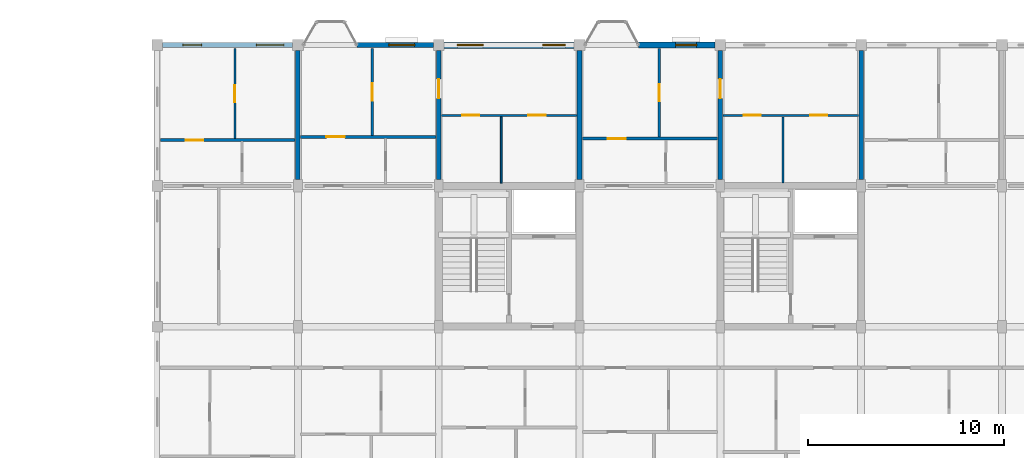
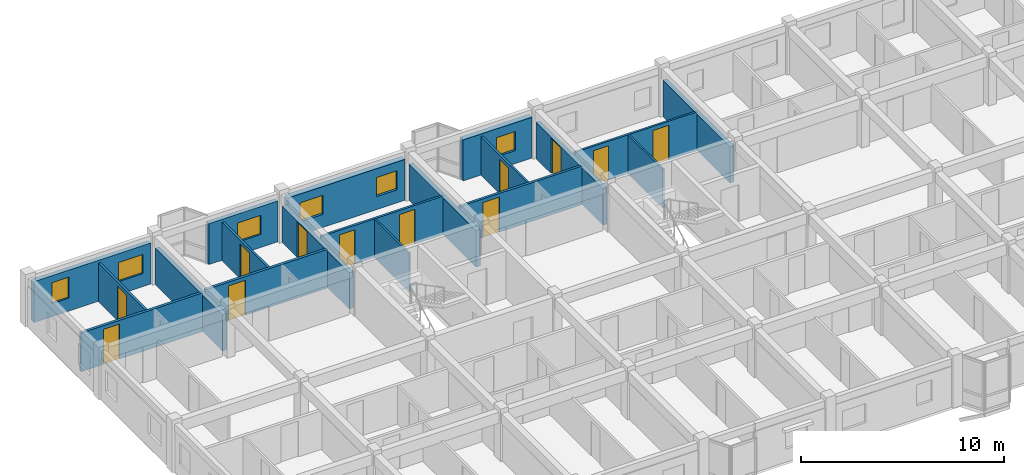
# One storey, part 69 of 77: 19 walls, 12 doors, 6 windows, 18 openings.
"""IFC4 building model written with IfcOpenShell, lengths in metres."""

from ifc_helpers import new_model, si_unit, direction, frame, frame_2d, origin, place, context, subcontext, project, spatial, rectangle, extrude, material, layer, layer_set, type_object, element, fill, save


model = new_model("IFC4")

# Units and contexts
model_context = context("Model", 3, precision=1e-05, world=origin(), true_north=direction((0.0, 1.0)))
body_context = subcontext(model_context, "Body", "Model", "MODEL_VIEW")
ifc_project = project(units=[si_unit("LENGTHUNIT", "METRE"), si_unit("AREAUNIT", "SQUARE_METRE"), si_unit("VOLUMEUNIT", "CUBIC_METRE"), si_unit("PLANEANGLEUNIT", "RADIAN"), si_unit("MASSUNIT", "GRAM", prefix="KILO"), si_unit("THERMODYNAMICTEMPERATUREUNIT", "KELVIN"), si_unit("POWERUNIT", "WATT")], contexts=[model_context])

# Site, building, storey
site_placement = place(None, origin())
site = spatial("IfcSite", under=ifc_project, at=site_placement, CompositionType="ELEMENT")
building_placement = place(site_placement, origin())
building = spatial("IfcBuilding", under=site, at=building_placement, Name="Tavuni Mirador Residences", CompositionType="ELEMENT")
storey_placement = place(building_placement, frame((0.0, 0.0, 17.10009765625)))
storey = spatial("IfcBuildingStorey", under=building, at=storey_placement, Name="L05", CompositionType="ELEMENT", Elevation=17.10009765625)

# Wall, openings, windows
ifc_material_1 = material(Name="Precast concrete C40/50", Category="concrete")
ifc_layer_1 = layer(ifc_material_1, 0.330078125, Name="Precast concrete C40/50", Category="concrete")
ifc_layer_set_1 = layer_set([ifc_layer_1], Name="Precast concrete C40/50")
wall_type_1 = type_object("IfcWallType", Name="WT-EXT-COR330", PredefinedType="SOLIDWALL", material=ifc_layer_set_1)
wall_1_placement = place(storey_placement, frame((32.125, 172.800048828125, 0.0), z_axis=(0.0, 0.0, 1.0), x_axis=(-1.0, 0.0, 0.0)))
wall_1 = element("IfcWall", 1, at=wall_1_placement, inside=storey, type_object=wall_type_1, Name="EW-BLK-C-L05-N02", PredefinedType="SOLIDWALL", context=body_context, shape_type="SweptSolid", body=[
    extrude(rectangle(XDim=6.64990234375, YDim=0.330078125, at=frame_2d((3.324951171875, 0.0))), origin(), (0.0, 0.0, 1.0), 2.454833984375),
])
opening_1_placement = place(wall_1_placement, frame((0.449951171875, 0.0, 0.780029296875)))
opening_1 = element("IfcOpeningElement", 2, at=opening_1_placement, cuts=wall_1, Name="Opening WN-05", PredefinedType="OPENING", context=body_context, shape_type="SweptSolid", body=[
    extrude(rectangle(XDim=1.159912109375, YDim=1.14990234375, at=frame_2d((0.580078125, 0.574951171875))), frame((0.0, 0.175048828125, 0.0), z_axis=(0.0, -1.0, 0.0), x_axis=(1.0, 0.0, 0.0)), (0.0, 0.0, 1.0), 0.35009765625),
])
opening_2_placement = place(wall_1_placement, frame((4.64990234375, 0.0, 0.780029296875)))
opening_2 = element("IfcOpeningElement", 3, at=opening_2_placement, cuts=wall_1, Name="Opening WN-07", PredefinedType="OPENING", context=body_context, shape_type="SweptSolid", body=[
    extrude(rectangle(XDim=1.320068359375, YDim=1.14990234375, at=frame_2d((0.66015625, 0.574951171875))), frame((0.0, 0.175048828125, 0.0), z_axis=(0.0, -1.0, 0.0), x_axis=(1.0, 0.0, 0.0)), (0.0, 0.0, 1.0), 0.35009765625),
])
ifc_material_2 = material(Name="Laminated solar-control glass", Category="glass")
window_type_1 = type_object("IfcWindowType", Name="WNT-05", PartitioningType="SINGLE_PANEL", PredefinedType="WINDOW", material=ifc_material_2)
window_1_placement = place(opening_1_placement, origin())
window_1 = element("IfcWindow", 4, at=window_1_placement, inside=storey, type_object=window_type_1, Name="WIN-1079", OverallHeight=1.14990234375, OverallWidth=1.159912109375, PartitioningType="SINGLE_PANEL", PredefinedType="WINDOW", context=body_context, shape_type="SweptSolid", body=[
    extrude(rectangle(XDim=1.159912109375, YDim=1.14990234375, at=frame_2d((0.580078125, 0.574951171875))), frame((0.0, 0.030029296875, 0.0), z_axis=(0.0, -1.0, 0.0), x_axis=(1.0, 0.0, 0.0)), (0.0, 0.0, 1.0), 0.06005859375),
])
fill(opening_1, window_1)
window_type_2 = type_object("IfcWindowType", Name="WNT-07", PartitioningType="SINGLE_PANEL", PredefinedType="WINDOW", material=ifc_material_2)
window_2_placement = place(opening_2_placement, origin())
window_2 = element("IfcWindow", 5, at=window_2_placement, inside=storey, type_object=window_type_2, Name="WIN-1080", OverallHeight=1.14990234375, OverallWidth=1.320068359375, PartitioningType="SINGLE_PANEL", PredefinedType="WINDOW", context=body_context, shape_type="SweptSolid", body=[
    extrude(rectangle(XDim=1.320068359375, YDim=1.14990234375, at=frame_2d((0.66015625, 0.574951171875))), frame((0.0, 0.030029296875, 0.0), z_axis=(0.0, -1.0, 0.0), x_axis=(1.0, 0.0, 0.0)), (0.0, 0.0, 1.0), 0.06005859375),
])
fill(opening_2, window_2)

# Wall, opening, window
ifc_material_3 = material(Name="Sgraffito lime-rendered precast concrete C40/50", Category="concrete")
ifc_layer_2 = layer(ifc_material_3, 0.2451171875, Name="Sgraffito lime-rendered precast concrete C40/50", Category="concrete")
ifc_layer_set_2 = layer_set([ifc_layer_2], Name="Sgraffito lime-rendered precast concrete C40/50")
wall_type_2 = type_object("IfcWallType", Name="WT-EXT-PC245", PredefinedType="SOLIDWALL", material=ifc_layer_set_2)
wall_2_placement = place(storey_placement, frame((24.925048828125, 172.800048828125, 0.0), z_axis=(0.0, 0.0, 1.0), x_axis=(-1.0, 0.0, 0.0)))
wall_2 = element("IfcWall", 6, at=wall_2_placement, inside=storey, type_object=wall_type_2, Name="EW-BLK-C-L05-N01", PredefinedType="SOLIDWALL", context=body_context, shape_type="SweptSolid", body=[
    extrude(rectangle(XDim=3.905029296875, YDim=0.2451171875, at=frame_2d((1.95263671875, 0.0))), origin(), (0.0, 0.0, 1.0), 2.454833984375),
])
opening_3_placement = place(wall_2_placement, frame((0.95751953125, 0.0, 0.780029296875)))
opening_3 = element("IfcOpeningElement", 7, at=opening_3_placement, cuts=wall_2, Name="Opening WN-07", PredefinedType="OPENING", context=body_context, shape_type="SweptSolid", body=[
    extrude(rectangle(XDim=1.320068359375, YDim=1.14990234375, at=frame_2d((0.66015625, 0.574951171875))), frame((0.0, 0.132568359375, 0.0), z_axis=(0.0, -1.0, 0.0), x_axis=(1.0, 0.0, 0.0)), (0.0, 0.0, 1.0), 0.26513671875),
])
window_3_placement = place(opening_3_placement, origin())
window_3 = element("IfcWindow", 8, at=window_3_placement, inside=storey, type_object=window_type_2, Name="WIN-1081", OverallHeight=1.14990234375, OverallWidth=1.320068359375, PartitioningType="SINGLE_PANEL", PredefinedType="WINDOW", context=body_context, shape_type="SweptSolid", body=[
    extrude(rectangle(XDim=1.320068359375, YDim=1.14990234375, at=frame_2d((0.66015625, 0.574951171875))), frame((0.0, 0.030029296875, 0.0), z_axis=(0.0, -1.0, 0.0), x_axis=(1.0, 0.0, 0.0)), (0.0, 0.0, 1.0), 0.06005859375),
])
fill(opening_3, window_3)

# Wall, openings, windows
ifc_layer_3 = layer(ifc_material_3, 0.2548828125, Name="Sgraffito lime-rendered precast concrete C40/50", Category="concrete")
ifc_layer_set_3 = layer_set([ifc_layer_3], Name="Sgraffito lime-rendered precast concrete C40/50")
wall_type_3 = type_object("IfcWallType", Name="WT-EXT-PC255", PredefinedType="SOLIDWALL", material=ifc_layer_set_3)
wall_3_placement = place(storey_placement, frame((17.72509765625, 172.800048828125, 0.0), z_axis=(0.0, 0.0, 1.0), x_axis=(-1.0, 0.0, 0.0)))
wall_3 = element("IfcWall", 9, at=wall_3_placement, inside=storey, type_object=wall_type_3, Name="EW-BLK-C-L05-N00", PredefinedType="SOLIDWALL", context=body_context, shape_type="SweptSolid", body=[
    extrude(rectangle(XDim=6.650146484375, YDim=0.2548828125, at=frame_2d((3.3251953125, 0.0))), origin(), (0.0, 0.0, 1.0), 2.454833984375),
])
opening_4_placement = place(wall_3_placement, frame((0.449951171875, 0.0, 0.780029296875)))
opening_4 = element("IfcOpeningElement", 10, at=opening_4_placement, cuts=wall_3, Name="Opening WN-08", PredefinedType="OPENING", context=body_context, shape_type="SweptSolid", body=[
    extrude(rectangle(XDim=1.39990234375, YDim=1.14990234375, at=frame_2d((0.699951171875, 0.574951171875))), frame((0.0, 0.137451171875, 0.0), z_axis=(0.0, -1.0, 0.0), x_axis=(1.0, 0.0, 0.0)), (0.0, 0.0, 1.0), 0.27490234375),
])
opening_5_placement = place(wall_3_placement, frame((4.64990234375, 0.0, 0.780029296875)))
opening_5 = element("IfcOpeningElement", 11, at=opening_5_placement, cuts=wall_3, Name="Opening WN-10", PredefinedType="OPENING", context=body_context, shape_type="SweptSolid", body=[
    extrude(rectangle(XDim=0.9599609375, YDim=1.260009765625, at=frame_2d((0.47998046875, 0.6298828125))), frame((0.0, 0.137451171875, 0.0), z_axis=(0.0, -1.0, 0.0), x_axis=(1.0, 0.0, 0.0)), (0.0, 0.0, 1.0), 0.27490234375),
])
window_type_3 = type_object("IfcWindowType", Name="WNT-08", PartitioningType="SINGLE_PANEL", PredefinedType="WINDOW", material=ifc_material_2)
window_4_placement = place(opening_4_placement, origin())
window_4 = element("IfcWindow", 12, at=window_4_placement, inside=storey, type_object=window_type_3, Name="WIN-1082", OverallHeight=1.14990234375, OverallWidth=1.39990234375, PartitioningType="SINGLE_PANEL", PredefinedType="WINDOW", context=body_context, shape_type="SweptSolid", body=[
    extrude(rectangle(XDim=1.39990234375, YDim=1.14990234375, at=frame_2d((0.699951171875, 0.574951171875))), frame((0.0, 0.030029296875, 0.0), z_axis=(0.0, -1.0, 0.0), x_axis=(1.0, 0.0, 0.0)), (0.0, 0.0, 1.0), 0.06005859375),
])
fill(opening_4, window_4)
window_type_4 = type_object("IfcWindowType", Name="WNT-10", PartitioningType="SINGLE_PANEL", PredefinedType="WINDOW", material=ifc_material_2)
window_5_placement = place(opening_5_placement, origin())
window_5 = element("IfcWindow", 13, at=window_5_placement, inside=storey, type_object=window_type_4, Name="WIN-1083", OverallHeight=1.260009765625, OverallWidth=0.9599609375, PartitioningType="SINGLE_PANEL", PredefinedType="WINDOW", context=body_context, shape_type="SweptSolid", body=[
    extrude(rectangle(XDim=0.9599609375, YDim=1.260009765625, at=frame_2d((0.47998046875, 0.6298828125))), frame((0.0, 0.030029296875, 0.0), z_axis=(0.0, -1.0, 0.0), x_axis=(1.0, 0.0, 0.0)), (0.0, 0.0, 1.0), 0.06005859375),
])
fill(opening_5, window_5)

# Wall, opening, window
ifc_layer_4 = layer(ifc_material_3, 0.31494140625, Name="Sgraffito lime-rendered precast concrete C40/50", Category="concrete")
ifc_layer_set_4 = layer_set([ifc_layer_4], Name="Sgraffito lime-rendered precast concrete C40/50")
wall_type_4 = type_object("IfcWallType", Name="WT-EXT-PC315", PredefinedType="SOLIDWALL", material=ifc_layer_set_4)
wall_4_placement = place(storey_placement, frame((39.324951171875, 172.800048828125, 0.0), z_axis=(0.0, 0.0, 1.0), x_axis=(-1.0, 0.0, 0.0)))
wall_4 = element("IfcWall", 14, at=wall_4_placement, inside=storey, type_object=wall_type_4, Name="EW-BLK-C-L05-N03", PredefinedType="SOLIDWALL", context=body_context, shape_type="SweptSolid", body=[
    extrude(rectangle(XDim=3.905029296875, YDim=0.31494140625, at=frame_2d((1.95263671875, 0.0))), origin(), (0.0, 0.0, 1.0), 2.454833984375),
])
opening_6_placement = place(wall_4_placement, frame((0.9375, 0.0, 0.780029296875)))
opening_6 = element("IfcOpeningElement", 15, at=opening_6_placement, cuts=wall_4, Name="Opening WN-04", PredefinedType="OPENING", context=body_context, shape_type="SweptSolid", body=[
    extrude(rectangle(XDim=1.080078125, YDim=1.14990234375, at=frame_2d((0.5400390625, 0.574951171875))), frame((0.0, 0.16748046875, 0.0), z_axis=(0.0, -1.0, 0.0), x_axis=(1.0, 0.0, 0.0)), (0.0, 0.0, 1.0), 0.3349609375),
])
window_type_5 = type_object("IfcWindowType", Name="WNT-04", PartitioningType="SINGLE_PANEL", PredefinedType="WINDOW", material=ifc_material_2)
window_6_placement = place(opening_6_placement, origin())
window_6 = element("IfcWindow", 16, at=window_6_placement, inside=storey, type_object=window_type_5, Name="WIN-1078", OverallHeight=1.14990234375, OverallWidth=1.080078125, PartitioningType="SINGLE_PANEL", PredefinedType="WINDOW", context=body_context, shape_type="SweptSolid", body=[
    extrude(rectangle(XDim=1.080078125, YDim=1.14990234375, at=frame_2d((0.5400390625, 0.574951171875))), frame((0.0, 0.030029296875, 0.0), z_axis=(0.0, -1.0, 0.0), x_axis=(1.0, 0.0, 0.0)), (0.0, 0.0, 1.0), 0.06005859375),
])
fill(opening_6, window_6)

# Walls
ifc_material_4 = material(Name="Acoustic gypsum and concrete block partition", Category="concrete")
ifc_layer_5 = layer(ifc_material_4, 0.094970703125, Name="Acoustic gypsum and concrete block partition", Category="concrete")
ifc_layer_set_5 = layer_set([ifc_layer_5], Name="Acoustic gypsum and concrete block partition")
wall_type_5 = type_object("IfcWallType", Name="WT-PART095", PredefinedType="PARTITIONING", material=ifc_layer_set_5)
wall_5_placement = place(storey_placement, frame((28.39990234375, 165.739990234375, 0.0), z_axis=(0.0, 0.0, 1.0), x_axis=(0.0, 1.0, 0.0)))
element("IfcWall", 17, at=wall_5_placement, inside=storey, type_object=wall_type_5, Name="PW-BLK-C-L05-NC02-V", PredefinedType="PARTITIONING", context=body_context, shape_type="SweptSolid", body=[
    extrude(rectangle(XDim=3.389892578125, YDim=0.094970703125, at=frame_2d((1.69482421875, 0.0))), origin(), (0.0, 0.0, 1.0), 2.31982421875),
])
ifc_layer_6 = layer(ifc_material_4, 0.10498046875, Name="Acoustic gypsum and concrete block partition", Category="concrete")
ifc_layer_set_6 = layer_set([ifc_layer_6], Name="Acoustic gypsum and concrete block partition")
wall_type_6 = type_object("IfcWallType", Name="WT-PART105", PredefinedType="PARTITIONING", material=ifc_layer_set_6)
wall_6_placement = place(storey_placement, frame((42.800048828125, 165.739990234375, 0.0), z_axis=(0.0, 0.0, 1.0), x_axis=(0.0, 1.0, 0.0)))
element("IfcWall", 18, at=wall_6_placement, inside=storey, type_object=wall_type_6, Name="PW-BLK-C-L05-NC04-V", PredefinedType="PARTITIONING", context=body_context, shape_type="SweptSolid", body=[
    extrude(rectangle(XDim=3.389892578125, YDim=0.10498046875, at=frame_2d((1.69482421875, 0.0))), origin(), (0.0, 0.0, 1.0), 2.31982421875),
])

# Wall, opening, door
ifc_layer_7 = layer(ifc_material_4, 0.114990234375, Name="Acoustic gypsum and concrete block partition", Category="concrete")
ifc_layer_set_7 = layer_set([ifc_layer_7], Name="Acoustic gypsum and concrete block partition")
wall_type_7 = type_object("IfcWallType", Name="WT-PART115", PredefinedType="PARTITIONING", material=ifc_layer_set_7)
wall_7_placement = place(storey_placement, frame((36.47998046875, 168.090087890625, 0.0), z_axis=(0.0, 0.0, 1.0), x_axis=(0.0, 1.0, 0.0)))
wall_7 = element("IfcWall", 19, at=wall_7_placement, inside=storey, type_object=wall_type_7, Name="PW-BLK-C-L05-N03-OUT", PredefinedType="PARTITIONING", context=body_context, shape_type="SweptSolid", body=[
    extrude(rectangle(XDim=4.534912109375, YDim=0.114990234375, at=frame_2d((2.267578125, 0.0))), origin(), (0.0, 0.0, 1.0), 2.31982421875),
])
opening_7_placement = place(wall_7_placement, frame((1.827392578125, 0.0, 0.0)))
opening_7 = element("IfcOpeningElement", 20, at=opening_7_placement, cuts=wall_7, Name="Opening D-08", PredefinedType="OPENING", context=body_context, shape_type="SweptSolid", body=[
    extrude(rectangle(XDim=0.8798828125, YDim=2.080078125, at=frame_2d((0.43994140625, 1.0400390625))), frame((0.0, 0.0673828125, 0.0), z_axis=(0.0, -1.0, 0.0), x_axis=(1.0, 0.0, 0.0)), (0.0, 0.0, 1.0), 0.135009765625),
])
ifc_material_5 = material(Name="Solid core iroko timber", Category="wood")
door_type_1 = type_object("IfcDoorType", Name="DT-BED880", OperationType="NOTDEFINED", PredefinedType="DOOR", material=ifc_material_5)
door_1_placement = place(opening_7_placement, origin())
door_1 = element("IfcDoor", 21, at=door_1_placement, inside=storey, type_object=door_type_1, Name="DR-3927", OperationType="SINGLE_SWING_LEFT", OverallHeight=2.080078125, OverallWidth=0.8798828125, PredefinedType="DOOR", context=body_context, shape_type="SweptSolid", body=[
    extrude(rectangle(XDim=0.8798828125, YDim=2.080078125, at=frame_2d((0.43994140625, 1.0400390625))), frame((0.0, 0.02490234375, 0.0), z_axis=(0.0, -1.0, 0.0), x_axis=(1.0, 0.0, 0.0)), (0.0, 0.0, 1.0), 0.050048828125),
])
fill(opening_7, door_1)

# Wall, openings, doors
wall_8_placement = place(storey_placement, frame((39.739990234375, 169.199951171875, 0.0), z_axis=(0.0, 0.0, 1.0), x_axis=(1.0, 0.0, 0.0)))
wall_8 = element("IfcWall", 22, at=wall_8_placement, inside=storey, type_object=wall_type_7, Name="PW-BLK-C-L05-NC04-M", PredefinedType="PARTITIONING", context=body_context, shape_type="SweptSolid", body=[
    extrude(rectangle(XDim=6.919921875, YDim=0.114990234375, at=frame_2d((3.4599609375, 0.0))), origin(), (0.0, 0.0, 1.0), 2.31982421875),
])
opening_8_placement = place(wall_8_placement, frame((1.050048828125, 0.0, 0.0)))
opening_8 = element("IfcOpeningElement", 23, at=opening_8_placement, cuts=wall_8, Name="Opening D-10", PredefinedType="OPENING", context=body_context, shape_type="SweptSolid", body=[
    extrude(rectangle(XDim=0.8701171875, YDim=2.050048828125, at=frame_2d((0.43505859375, 1.02490234375))), frame((0.0, 0.0673828125, 0.0), z_axis=(0.0, -1.0, 0.0), x_axis=(1.0, 0.0, 0.0)), (0.0, 0.0, 1.0), 0.135009765625),
])
opening_9_placement = place(wall_8_placement, frame((4.449951171875, 0.0, 0.0)))
opening_9 = element("IfcOpeningElement", 24, at=opening_9_placement, cuts=wall_8, Name="Opening D-08", PredefinedType="OPENING", context=body_context, shape_type="SweptSolid", body=[
    extrude(rectangle(XDim=0.8798828125, YDim=2.080078125, at=frame_2d((0.43994140625, 1.0400390625))), frame((0.0, 0.0673828125, 0.0), z_axis=(0.0, -1.0, 0.0), x_axis=(1.0, 0.0, 0.0)), (0.0, 0.0, 1.0), 0.135009765625),
])
door_2_placement = place(opening_9_placement, origin())
door_2 = element("IfcDoor", 25, at=door_2_placement, inside=storey, type_object=door_type_1, Name="DR-3934", OperationType="SINGLE_SWING_RIGHT", OverallHeight=2.080078125, OverallWidth=0.8798828125, PredefinedType="DOOR", context=body_context, shape_type="SweptSolid", body=[
    extrude(rectangle(XDim=0.8798828125, YDim=2.080078125, at=frame_2d((0.43994140625, 1.0400390625))), frame((0.0, 0.02490234375, 0.0), z_axis=(0.0, -1.0, 0.0), x_axis=(1.0, 0.0, 0.0)), (0.0, 0.0, 1.0), 0.050048828125),
])
fill(opening_9, door_2)
door_type_2 = type_object("IfcDoorType", Name="DT-WC870", OperationType="NOTDEFINED", PredefinedType="DOOR", material=ifc_material_5)
door_3_placement = place(opening_8_placement, origin())
door_3 = element("IfcDoor", 26, at=door_3_placement, inside=storey, type_object=door_type_2, Name="DR-3933", OperationType="SINGLE_SWING_LEFT", OverallHeight=2.050048828125, OverallWidth=0.8701171875, PredefinedType="DOOR", context=body_context, shape_type="SweptSolid", body=[
    extrude(rectangle(XDim=0.8701171875, YDim=2.050048828125, at=frame_2d((0.43505859375, 1.02490234375))), frame((0.0, 0.02490234375, 0.0), z_axis=(0.0, -1.0, 0.0), x_axis=(1.0, 0.0, 0.0)), (0.0, 0.0, 1.0), 0.050048828125),
])
fill(opening_8, door_3)

# Wall, opening, door
ifc_layer_8 = layer(ifc_material_4, 0.125, Name="Acoustic gypsum and concrete block partition", Category="concrete")
ifc_layer_set_8 = layer_set([ifc_layer_8], Name="Acoustic gypsum and concrete block partition")
wall_type_8 = type_object("IfcWallType", Name="WT-PART125", PredefinedType="PARTITIONING", material=ifc_layer_set_8)
wall_9_placement = place(storey_placement, frame((14.780029296875, 168.010009765625, 0.0), z_axis=(0.0, 0.0, 1.0), x_axis=(0.0, 1.0, 0.0)))
wall_9 = element("IfcWall", 27, at=wall_9_placement, inside=storey, type_object=wall_type_8, Name="PW-BLK-C-L05-N00-OUT", PredefinedType="PARTITIONING", context=body_context, shape_type="SweptSolid", body=[
    extrude(rectangle(XDim=4.614990234375, YDim=0.125, at=frame_2d((2.3076171875, 0.0))), origin(), (0.0, 0.0, 1.0), 2.31982421875),
])
opening_10_placement = place(wall_9_placement, frame((1.867431640625, 0.0, 0.0)))
opening_10 = element("IfcOpeningElement", 28, at=opening_10_placement, cuts=wall_9, Name="Opening D-08", PredefinedType="OPENING", context=body_context, shape_type="SweptSolid", body=[
    extrude(rectangle(XDim=0.8798828125, YDim=2.080078125, at=frame_2d((0.43994140625, 1.0400390625))), frame((0.0, 0.072509765625, 0.0), z_axis=(0.0, -1.0, 0.0), x_axis=(1.0, 0.0, 0.0)), (0.0, 0.0, 1.0), 0.14501953125),
])
door_4_placement = place(opening_10_placement, origin())
door_4 = element("IfcDoor", 29, at=door_4_placement, inside=storey, type_object=door_type_1, Name="DR-3910", OperationType="SINGLE_SWING_LEFT", OverallHeight=2.080078125, OverallWidth=0.8798828125, PredefinedType="DOOR", context=body_context, shape_type="SweptSolid", body=[
    extrude(rectangle(XDim=0.8798828125, YDim=2.080078125, at=frame_2d((0.43994140625, 1.0400390625))), frame((0.0, 0.02490234375, 0.0), z_axis=(0.0, -1.0, 0.0), x_axis=(1.0, 0.0, 0.0)), (0.0, 0.0, 1.0), 0.050048828125),
])
fill(opening_10, door_4)

wall_10_placement = place(storey_placement, frame((21.800048828125, 168.169921875, 0.0), z_axis=(0.0, 0.0, 1.0), x_axis=(0.0, 1.0, 0.0)))
wall_10 = element("IfcWall", 30, at=wall_10_placement, inside=storey, type_object=wall_type_8, Name="PW-BLK-C-L05-N01-OUT", PredefinedType="PARTITIONING", context=body_context, shape_type="SweptSolid", body=[
    extrude(rectangle(XDim=4.455078125, YDim=0.125, at=frame_2d((2.2275390625, 0.0))), origin(), (0.0, 0.0, 1.0), 2.31982421875),
])
opening_11_placement = place(wall_10_placement, frame((1.777587890625, 0.0, 0.0)))
opening_11 = element("IfcOpeningElement", 31, at=opening_11_placement, cuts=wall_10, Name="Opening D-07", PredefinedType="OPENING", context=body_context, shape_type="SweptSolid", body=[
    extrude(rectangle(XDim=0.89990234375, YDim=2.10009765625, at=frame_2d((0.449951171875, 1.050048828125))), frame((0.0, 0.072509765625, 0.0), z_axis=(0.0, -1.0, 0.0), x_axis=(1.0, 0.0, 0.0)), (0.0, 0.0, 1.0), 0.14501953125),
])
door_type_3 = type_object("IfcDoorType", Name="DT-BED900", OperationType="NOTDEFINED", PredefinedType="DOOR", material=ifc_material_5)
door_5_placement = place(opening_11_placement, origin())
door_5 = element("IfcDoor", 32, at=door_5_placement, inside=storey, type_object=door_type_3, Name="DR-3916", OperationType="SINGLE_SWING_RIGHT", OverallHeight=2.10009765625, OverallWidth=0.89990234375, PredefinedType="DOOR", context=body_context, shape_type="SweptSolid", body=[
    extrude(rectangle(XDim=0.89990234375, YDim=2.10009765625, at=frame_2d((0.449951171875, 1.050048828125))), frame((0.0, 0.02490234375, 0.0), z_axis=(0.0, -1.0, 0.0), x_axis=(1.0, 0.0, 0.0)), (0.0, 0.0, 1.0), 0.050048828125),
])
fill(opening_11, door_5)

# Wall, openings, doors
wall_11_placement = place(storey_placement, frame((25.340087890625, 169.199951171875, 0.0), z_axis=(0.0, 0.0, 1.0), x_axis=(1.0, 0.0, 0.0)))
wall_11 = element("IfcWall", 33, at=wall_11_placement, inside=storey, type_object=wall_type_8, Name="PW-BLK-C-L05-NC02-M", PredefinedType="PARTITIONING", context=body_context, shape_type="SweptSolid", body=[
    extrude(rectangle(XDim=6.919921875, YDim=0.125, at=frame_2d((3.4599609375, 0.0))), origin(), (0.0, 0.0, 1.0), 2.31982421875),
])
opening_12_placement = place(wall_11_placement, frame((1.050048828125, 0.0, 0.0)))
opening_12 = element("IfcOpeningElement", 34, at=opening_12_placement, cuts=wall_11, Name="Opening D-10", PredefinedType="OPENING", context=body_context, shape_type="SweptSolid", body=[
    extrude(rectangle(XDim=0.8701171875, YDim=2.050048828125, at=frame_2d((0.43505859375, 1.02490234375))), frame((0.0, 0.072509765625, 0.0), z_axis=(0.0, -1.0, 0.0), x_axis=(1.0, 0.0, 0.0)), (0.0, 0.0, 1.0), 0.14501953125),
])
opening_13_placement = place(wall_11_placement, frame((4.449951171875, 0.0, 0.0)))
opening_13 = element("IfcOpeningElement", 35, at=opening_13_placement, cuts=wall_11, Name="Opening D-08", PredefinedType="OPENING", context=body_context, shape_type="SweptSolid", body=[
    extrude(rectangle(XDim=0.8798828125, YDim=2.080078125, at=frame_2d((0.43994140625, 1.0400390625))), frame((0.0, 0.072509765625, 0.0), z_axis=(0.0, -1.0, 0.0), x_axis=(1.0, 0.0, 0.0)), (0.0, 0.0, 1.0), 0.14501953125),
])
door_6_placement = place(opening_13_placement, origin())
door_6 = element("IfcDoor", 36, at=door_6_placement, inside=storey, type_object=door_type_1, Name="DR-3923", OperationType="SINGLE_SWING_RIGHT", OverallHeight=2.080078125, OverallWidth=0.8798828125, PredefinedType="DOOR", context=body_context, shape_type="SweptSolid", body=[
    extrude(rectangle(XDim=0.8798828125, YDim=2.080078125, at=frame_2d((0.43994140625, 1.0400390625))), frame((0.0, 0.02490234375, 0.0), z_axis=(0.0, -1.0, 0.0), x_axis=(1.0, 0.0, 0.0)), (0.0, 0.0, 1.0), 0.050048828125),
])
fill(opening_13, door_6)
door_7_placement = place(opening_12_placement, origin())
door_7 = element("IfcDoor", 37, at=door_7_placement, inside=storey, type_object=door_type_2, Name="DR-3922", OperationType="SINGLE_SWING_LEFT", OverallHeight=2.050048828125, OverallWidth=0.8701171875, PredefinedType="DOOR", context=body_context, shape_type="SweptSolid", body=[
    extrude(rectangle(XDim=0.8701171875, YDim=2.050048828125, at=frame_2d((0.43505859375, 1.02490234375))), frame((0.0, 0.02490234375, 0.0), z_axis=(0.0, -1.0, 0.0), x_axis=(1.0, 0.0, 0.0)), (0.0, 0.0, 1.0), 0.050048828125),
])
fill(opening_12, door_7)

# Wall, opening, door
ifc_layer_9 = layer(ifc_material_4, 0.139892578125, Name="Acoustic gypsum and concrete block partition", Category="concrete")
ifc_layer_set_9 = layer_set([ifc_layer_9], Name="Acoustic gypsum and concrete block partition")
wall_type_9 = type_object("IfcWallType", Name="WT-PART140", PredefinedType="PARTITIONING", material=ifc_layer_set_9)
wall_12_placement = place(storey_placement, frame((32.5400390625, 168.02001953125, 0.0), z_axis=(0.0, 0.0, 1.0), x_axis=(1.0, 0.0, 0.0)))
wall_12 = element("IfcWall", 38, at=wall_12_placement, inside=storey, type_object=wall_type_9, Name="PW-BLK-C-L05-N03-MID", PredefinedType="PARTITIONING", context=body_context, shape_type="SweptSolid", body=[
    extrude(rectangle(XDim=6.919921875, YDim=0.139892578125, at=frame_2d((3.4599609375, 0.0))), origin(), (0.0, 0.0, 1.0), 2.31982421875),
])
opening_14_placement = place(wall_12_placement, frame((1.31005859375, 0.0, 0.0)))
opening_14 = element("IfcOpeningElement", 39, at=opening_14_placement, cuts=wall_12, Name="Opening D-06", PredefinedType="OPENING", context=body_context, shape_type="SweptSolid", body=[
    extrude(rectangle(XDim=0.919921875, YDim=2.10009765625, at=frame_2d((0.4599609375, 1.050048828125))), frame((0.0, 0.080078125, 0.0), z_axis=(0.0, -1.0, 0.0), x_axis=(1.0, 0.0, 0.0)), (0.0, 0.0, 1.0), 0.159912109375),
])
door_type_4 = type_object("IfcDoorType", Name="DT-INT920", OperationType="NOTDEFINED", PredefinedType="DOOR", material=ifc_material_5)
door_8_placement = place(opening_14_placement, origin())
door_8 = element("IfcDoor", 40, at=door_8_placement, inside=storey, type_object=door_type_4, Name="DR-3929", OperationType="SINGLE_SWING_RIGHT", OverallHeight=2.10009765625, OverallWidth=0.919921875, PredefinedType="DOOR", context=body_context, shape_type="SweptSolid", body=[
    extrude(rectangle(XDim=0.919921875, YDim=2.10009765625, at=frame_2d((0.4599609375, 1.050048828125))), frame((0.0, 0.02490234375, 0.0), z_axis=(0.0, -1.0, 0.0), x_axis=(1.0, 0.0, 0.0)), (0.0, 0.0, 1.0), 0.050048828125),
])
fill(opening_14, door_8)

ifc_layer_10 = layer(ifc_material_4, 0.14990234375, Name="Acoustic gypsum and concrete block partition", Category="concrete")
ifc_layer_set_10 = layer_set([ifc_layer_10], Name="Acoustic gypsum and concrete block partition")
wall_type_10 = type_object("IfcWallType", Name="WT-PART150", PredefinedType="PARTITIONING", material=ifc_layer_set_10)
wall_13_placement = place(storey_placement, frame((10.97509765625, 167.93994140625, 0.0), z_axis=(0.0, 0.0, 1.0), x_axis=(1.0, 0.0, 0.0)))
wall_13 = element("IfcWall", 41, at=wall_13_placement, inside=storey, type_object=wall_type_10, Name="PW-BLK-C-L05-N00-MID", PredefinedType="PARTITIONING", context=body_context, shape_type="SweptSolid", body=[
    extrude(rectangle(XDim=6.885009765625, YDim=0.14990234375, at=frame_2d((3.4423828125, 0.0))), origin(), (0.0, 0.0, 1.0), 2.31982421875),
])
opening_15_placement = place(wall_13_placement, frame((1.27490234375, 0.0, 0.0)))
opening_15 = element("IfcOpeningElement", 42, at=opening_15_placement, cuts=wall_13, Name="Opening D-06", PredefinedType="OPENING", context=body_context, shape_type="SweptSolid", body=[
    extrude(rectangle(XDim=0.919921875, YDim=2.10009765625, at=frame_2d((0.4599609375, 1.050048828125))), frame((0.0, 0.0849609375, 0.0), z_axis=(0.0, -1.0, 0.0), x_axis=(1.0, 0.0, 0.0)), (0.0, 0.0, 1.0), 0.169921875),
])
door_9_placement = place(opening_15_placement, origin())
door_9 = element("IfcDoor", 43, at=door_9_placement, inside=storey, type_object=door_type_4, Name="DR-3912", OperationType="SINGLE_SWING_RIGHT", OverallHeight=2.10009765625, OverallWidth=0.919921875, PredefinedType="DOOR", context=body_context, shape_type="SweptSolid", body=[
    extrude(rectangle(XDim=0.919921875, YDim=2.10009765625, at=frame_2d((0.4599609375, 1.050048828125))), frame((0.0, 0.02490234375, 0.0), z_axis=(0.0, -1.0, 0.0), x_axis=(1.0, 0.0, 0.0)), (0.0, 0.0, 1.0), 0.050048828125),
])
fill(opening_15, door_9)

wall_14_placement = place(storey_placement, frame((18.139892578125, 168.10009765625, 0.0), z_axis=(0.0, 0.0, 1.0), x_axis=(1.0, 0.0, 0.0)))
wall_14 = element("IfcWall", 44, at=wall_14_placement, inside=storey, type_object=wall_type_10, Name="PW-BLK-C-L05-N01-MID", PredefinedType="PARTITIONING", context=body_context, shape_type="SweptSolid", body=[
    extrude(rectangle(XDim=6.920166015625, YDim=0.14990234375, at=frame_2d((3.4599609375, 0.0))), origin(), (0.0, 0.0, 1.0), 2.31982421875),
])
opening_16_placement = place(wall_14_placement, frame((1.31005859375, 0.0, 0.0)))
opening_16 = element("IfcOpeningElement", 45, at=opening_16_placement, cuts=wall_14, Name="Opening D-05", PredefinedType="OPENING", context=body_context, shape_type="SweptSolid", body=[
    extrude(rectangle(XDim=0.949951171875, YDim=2.10009765625, at=frame_2d((0.47509765625, 1.050048828125))), frame((0.0, 0.0849609375, 0.0), z_axis=(0.0, -1.0, 0.0), x_axis=(1.0, 0.0, 0.0)), (0.0, 0.0, 1.0), 0.169921875),
])
door_type_5 = type_object("IfcDoorType", Name="DT-INT950", OperationType="NOTDEFINED", PredefinedType="DOOR", material=ifc_material_5)
door_10_placement = place(opening_16_placement, origin())
door_10 = element("IfcDoor", 46, at=door_10_placement, inside=storey, type_object=door_type_5, Name="DR-3918", OperationType="SINGLE_SWING_LEFT", OverallHeight=2.10009765625, OverallWidth=0.949951171875, PredefinedType="DOOR", context=body_context, shape_type="SweptSolid", body=[
    extrude(rectangle(XDim=0.949951171875, YDim=2.10009765625, at=frame_2d((0.47509765625, 1.050048828125))), frame((0.0, 0.02490234375, 0.0), z_axis=(0.0, -1.0, 0.0), x_axis=(1.0, 0.0, 0.0)), (0.0, 0.0, 1.0), 0.050048828125),
])
fill(opening_16, door_10)

# Wall
ifc_layer_11 = layer(ifc_material_1, 0.235107421875, Name="Precast concrete C40/50", Category="concrete")
ifc_layer_set_11 = layer_set([ifc_layer_11], Name="Precast concrete C40/50")
wall_type_11 = type_object("IfcWallType", Name="WT-XW235", PredefinedType="SOLIDWALL", material=ifc_layer_set_11)
wall_15_placement = place(storey_placement, frame((18.0, 165.925048828125, 0.0), z_axis=(0.0, 0.0, 1.0), x_axis=(0.0, 1.0, 0.0)))
element("IfcWall", 47, at=wall_15_placement, inside=storey, type_object=wall_type_11, Name="XW-BLK-C-L05-N-01", PredefinedType="SOLIDWALL", context=body_context, shape_type="SweptSolid", body=[
    extrude(rectangle(XDim=6.599853515625, YDim=0.235107421875, at=frame_2d((3.2998046875, 0.0))), origin(), (0.0, 0.0, 1.0), 2.184814453125),
])

# Wall, opening, door
wall_16_placement = place(storey_placement, frame((25.199951171875, 165.925048828125, 0.0), z_axis=(0.0, 0.0, 1.0), x_axis=(0.0, 1.0, 0.0)))
wall_16 = element("IfcWall", 48, at=wall_16_placement, inside=storey, type_object=wall_type_11, Name="XW-BLK-C-L05-N-02", PredefinedType="SOLIDWALL", context=body_context, shape_type="SweptSolid", body=[
    extrude(rectangle(XDim=6.599853515625, YDim=0.235107421875, at=frame_2d((3.2998046875, 0.0))), origin(), (0.0, 0.0, 1.0), 2.184814453125),
])
opening_17_placement = place(wall_16_placement, frame((4.14990234375, 0.0, 0.0)))
opening_17 = element("IfcOpeningElement", 49, at=opening_17_placement, cuts=wall_16, Name="Opening D-04", PredefinedType="OPENING", context=body_context, shape_type="SweptSolid", body=[
    extrude(rectangle(XDim=0.97998046875, YDim=2.1201171875, at=frame_2d((0.489990234375, 1.06005859375))), frame((0.0, 0.12744140625, 0.0), z_axis=(0.0, -1.0, 0.0), x_axis=(1.0, 0.0, 0.0)), (0.0, 0.0, 1.0), 0.255126953125),
])
door_type_6 = type_object("IfcDoorType", Name="DT-FD60-980", OperationType="NOTDEFINED", PredefinedType="DOOR", material=ifc_material_5)
door_11_placement = place(opening_17_placement, origin())
door_11 = element("IfcDoor", 50, at=door_11_placement, inside=storey, type_object=door_type_6, Name="DR-4738", OperationType="SINGLE_SWING_LEFT", OverallHeight=2.1201171875, OverallWidth=0.97998046875, PredefinedType="DOOR", context=body_context, shape_type="SweptSolid", body=[
    extrude(rectangle(XDim=0.97998046875, YDim=2.1201171875, at=frame_2d((0.489990234375, 1.06005859375))), frame((0.0, 0.02490234375, 0.0), z_axis=(0.0, -1.0, 0.0), x_axis=(1.0, 0.0, 0.0)), (0.0, 0.0, 1.0), 0.050048828125),
])
fill(opening_17, door_11)

# Wall
wall_17_placement = place(storey_placement, frame((32.39990234375, 165.925048828125, 0.0), z_axis=(0.0, 0.0, 1.0), x_axis=(0.0, 1.0, 0.0)))
element("IfcWall", 51, at=wall_17_placement, inside=storey, type_object=wall_type_11, Name="XW-BLK-C-L05-N-03", PredefinedType="SOLIDWALL", context=body_context, shape_type="SweptSolid", body=[
    extrude(rectangle(XDim=6.599853515625, YDim=0.235107421875, at=frame_2d((3.2998046875, 0.0))), origin(), (0.0, 0.0, 1.0), 2.184814453125),
])

# Wall, opening, door
wall_18_placement = place(storey_placement, frame((39.60009765625, 165.925048828125, 0.0), z_axis=(0.0, 0.0, 1.0), x_axis=(0.0, 1.0, 0.0)))
wall_18 = element("IfcWall", 52, at=wall_18_placement, inside=storey, type_object=wall_type_11, Name="XW-BLK-C-L05-N-04", PredefinedType="SOLIDWALL", context=body_context, shape_type="SweptSolid", body=[
    extrude(rectangle(XDim=6.599853515625, YDim=0.235107421875, at=frame_2d((3.2998046875, 0.0))), origin(), (0.0, 0.0, 1.0), 2.184814453125),
])
opening_18_placement = place(wall_18_placement, frame((4.14990234375, 0.0, 0.0)))
opening_18 = element("IfcOpeningElement", 53, at=opening_18_placement, cuts=wall_18, Name="Opening D-04", PredefinedType="OPENING", context=body_context, shape_type="SweptSolid", body=[
    extrude(rectangle(XDim=0.97998046875, YDim=2.1201171875, at=frame_2d((0.489990234375, 1.06005859375))), frame((0.0, 0.12744140625, 0.0), z_axis=(0.0, -1.0, 0.0), x_axis=(1.0, 0.0, 0.0)), (0.0, 0.0, 1.0), 0.255126953125),
])
door_12_placement = place(opening_18_placement, origin())
door_12 = element("IfcDoor", 54, at=door_12_placement, inside=storey, type_object=door_type_6, Name="DR-4739", OperationType="SINGLE_SWING_RIGHT", OverallHeight=2.1201171875, OverallWidth=0.97998046875, PredefinedType="DOOR", context=body_context, shape_type="SweptSolid", body=[
    extrude(rectangle(XDim=0.97998046875, YDim=2.1201171875, at=frame_2d((0.489990234375, 1.06005859375))), frame((0.0, 0.02490234375, 0.0), z_axis=(0.0, -1.0, 0.0), x_axis=(1.0, 0.0, 0.0)), (0.0, 0.0, 1.0), 0.050048828125),
])
fill(opening_18, door_12)

# Wall
wall_19_placement = place(storey_placement, frame((46.800048828125, 165.925048828125, 0.0), z_axis=(0.0, 0.0, 1.0), x_axis=(0.0, 1.0, 0.0)))
element("IfcWall", 55, at=wall_19_placement, inside=storey, type_object=wall_type_11, Name="XW-BLK-C-L05-N-05", PredefinedType="SOLIDWALL", context=body_context, shape_type="SweptSolid", body=[
    extrude(rectangle(XDim=6.599853515625, YDim=0.235107421875, at=frame_2d((3.2998046875, 0.0))), origin(), (0.0, 0.0, 1.0), 2.184814453125),
])

save(model, "model.ifc")
